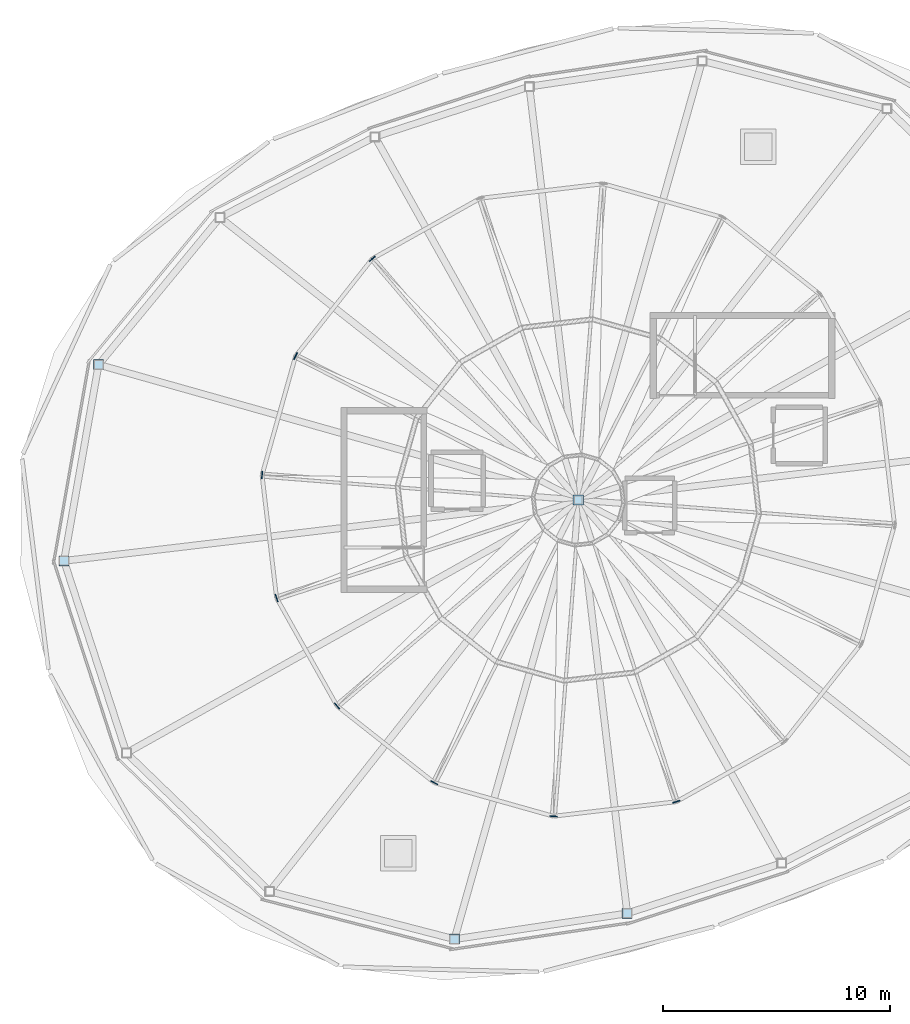
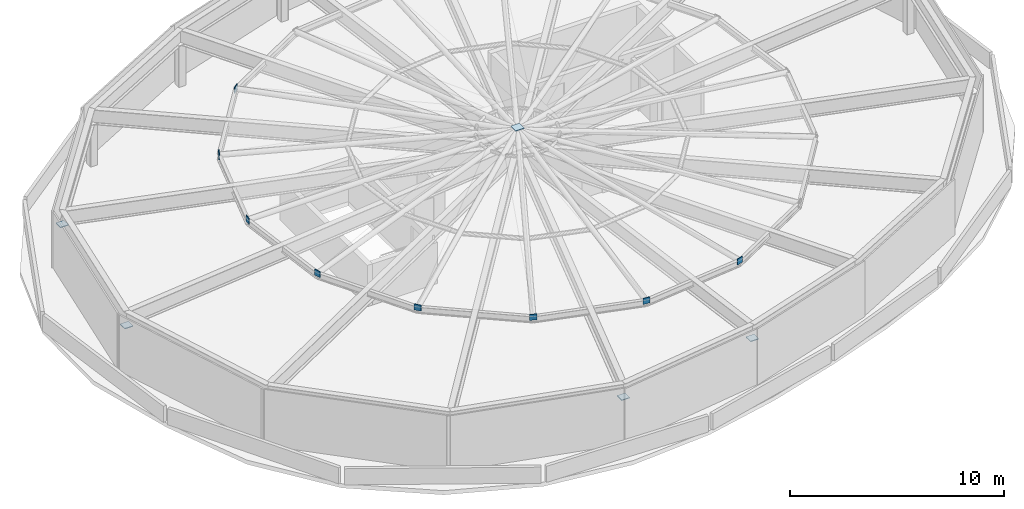
# One storey, part 5 of 9: 13 plates.
"""IFC4 building model written with IfcOpenShell, lengths in metres."""

from ifc_helpers import new_model, si_unit, direction, frame, origin, origin_2d, place, context, subcontext, project, spatial, rectangle, extrude, material, layer, layer_set, type_object, element, save


model = new_model("IFC4")

# Units and contexts
model_context = context("Model", 3, precision=1e-05, world=origin(), true_north=direction((0.0, 1.0)))
body_context = subcontext(model_context, "Body", "Model", "MODEL_VIEW")
ifc_project = project(units=[si_unit("LENGTHUNIT", "METRE"), si_unit("AREAUNIT", "SQUARE_METRE"), si_unit("VOLUMEUNIT", "CUBIC_METRE"), si_unit("PLANEANGLEUNIT", "RADIAN"), si_unit("MASSUNIT", "GRAM", prefix="KILO")], contexts=[model_context])

# Site, building, storey
site_placement = place(None, origin())
site = spatial("IfcSite", under=ifc_project, at=site_placement, CompositionType="ELEMENT")
building_placement = place(site_placement, origin())
building = spatial("IfcBuilding", under=site, at=building_placement, Name="Kazma Halo Residences", CompositionType="ELEMENT")
storey_placement = place(building_placement, frame((0.0, 0.0, 377.60009765625)))
storey = spatial("IfcBuildingStorey", under=building, at=storey_placement, Name="Roof", CompositionType="ELEMENT", Elevation=377.60009765625)

# Plates
ifc_material = material(Name="Steel S355", Category="steel")
ifc_layer = layer(ifc_material, 0.0400390625)
ifc_layer_set = layer_set([ifc_layer], Name="Steel S355")
plate_type = type_object("IfcPlateType", Name="PLT-GUSSET-40", PredefinedType="SHEET", material=ifc_layer_set)
for number, where, z_axis, x_axis, name in (
    (1, (26.830078125, 47.970458984375, 2.35400390625), (0.0, 0.0, 1.0), (1.0, 0.0, 0.0), "Crown post welded steel cap plate 07"),
    (2, (25.3037109375, 39.313720703125, 2.35400390625), (0.0, 0.0, 1.0), (1.0, 0.0, 0.0), "Crown post welded steel cap plate 08"),
    (3, (42.53369140625, 22.61767578125, 2.35400390625), (0.0, 0.0, 1.0), (1.0, 0.0, 0.0), "Crown post welded steel cap plate 11"),
    (4, (50.1591796875, 23.75634765625, 2.35400390625), (0.0, 0.0, 1.0), (1.0, 0.0, 0.0), "Crown post welded steel cap plate 12"),
):
    element("IfcPlate", number, at=place(storey_placement, frame(where, z_axis=z_axis, x_axis=x_axis)), inside=storey, type_object=plate_type, Name=name, PredefinedType="SHEET", context=body_context, shape_type="SweptSolid", body=[
        extrude(rectangle(XDim=0.43994140625, YDim=0.43994140625, at=origin_2d()), origin(), (0.0, 0.0, 1.0), 0.0400390625),
    ])
plate_placement = place(storey_placement, frame((48.0, 42.0, 4.092041015625), z_axis=(0.0, 0.0, 1.0), x_axis=(1.0, 0.0, 0.0)))
element("IfcPlate", 5, at=plate_placement, inside=storey, type_object=plate_type, Name="Crown skylight hub welded cap plate", PredefinedType="SHEET", context=body_context, shape_type="SweptSolid", body=[
    extrude(rectangle(XDim=0.4599609375, YDim=0.4599609375, at=origin_2d()), origin(), (0.0, 0.0, 1.0), 0.0400390625),
])
for number, where, z_axis, x_axis, name in (
    (6, (38.90771484375, 52.645751953125, 2.8896484375), (0.0, 0.0, 1.0), (-0.64944804833, 0.7604059656, 0.0), "Skylight rafter outer welded end-cap plate 06"),
    (7, (35.52587890625, 48.35595703125, 2.8896484375), (0.0, 0.0, 1.0), (-0.891006524188, 0.45399049974, 0.0), "Skylight rafter outer welded end-cap plate 07"),
    (8, (34.043212890625, 43.098388671875, 2.8896484375), (0.0, 0.0, 1.0), (-0.996917333733, 0.078459095728, 0.0), "Skylight rafter outer welded end-cap plate 08"),
    (9, (34.685302734375, 37.673828125, 2.8896484375), (0.0, 0.0, 1.0), (-0.951056516295, -0.309016994375, 0.0), "Skylight rafter outer welded end-cap plate 09"),
    (10, (37.354248046875, 32.90771484375, 2.8896484375), (0.0, 0.0, 1.0), (-0.7604059656, -0.64944804833, 0.0), "Skylight rafter outer welded end-cap plate 10"),
    (11, (41.64404296875, 29.52587890625, 2.8896484375), (0.0, 0.0, 1.0), (-0.45399049974, -0.891006524188, 0.0), "Skylight rafter outer welded end-cap plate 11"),
    (12, (46.901611328125, 28.043212890625, 2.8896484375), (0.0, 0.0, 1.0), (-0.078459095728, -0.996917333733, 0.0), "Skylight rafter outer welded end-cap plate 12"),
    (13, (52.326171875, 28.685302734375, 2.8896484375), (0.0, 0.0, 1.0), (0.309016994375, -0.951056516295, 0.0), "Skylight rafter outer welded end-cap plate 13"),
):
    element("IfcPlate", number, at=place(storey_placement, frame(where, z_axis=z_axis, x_axis=x_axis)), inside=storey, type_object=plate_type, Name=name, PredefinedType="SHEET", context=body_context, shape_type="SweptSolid", body=[
        extrude(rectangle(XDim=0.0400390625, YDim=0.340087890625, at=origin_2d()), origin(), (0.0, 0.0, 1.0), 0.340087890625),
    ])

save(model, "model.ifc")
